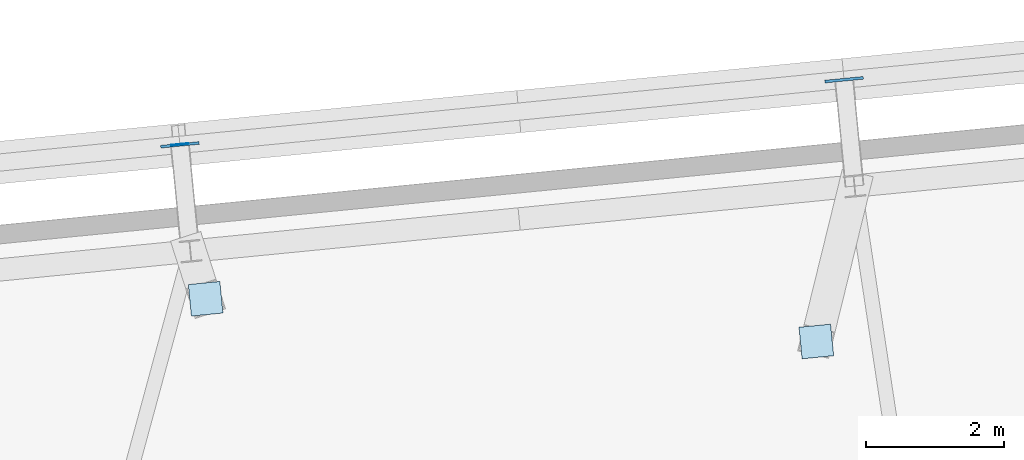
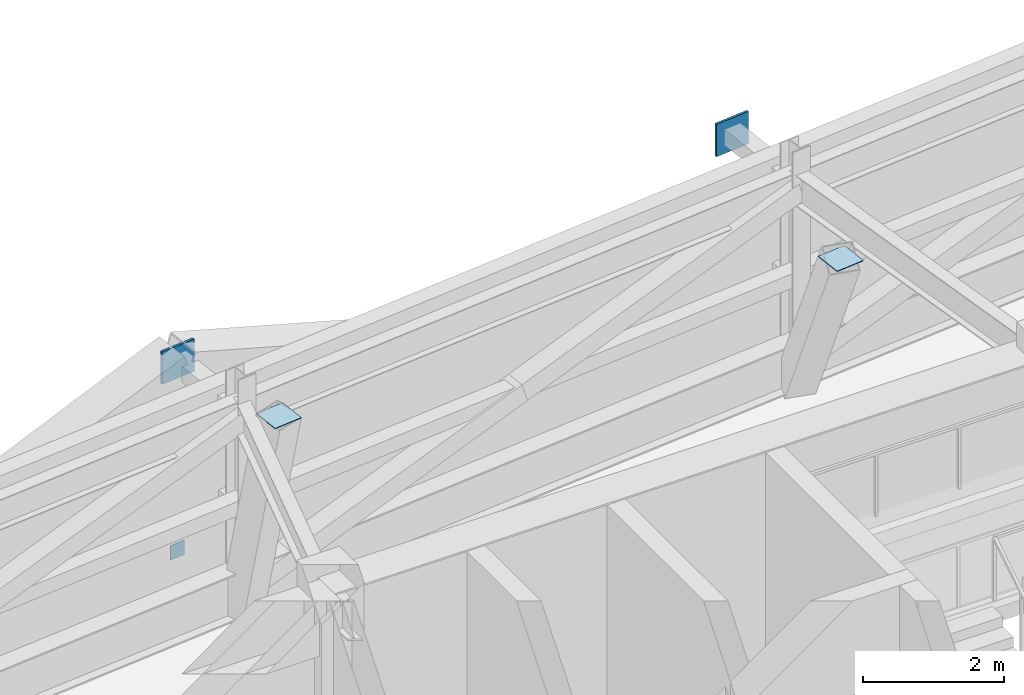
# One storey, part 19 of 24: 5 plates.
"""IFC4 building model written with IfcOpenShell, lengths in metres."""

from ifc_helpers import new_model, si_unit, direction, frame, origin, origin_2d, place, context, subcontext, project, spatial, rectangle, extrude, source, transform, mapped, material, layer, layer_set, type_object, element, save


model = new_model("IFC4")

# Units and contexts
model_context = context("Model", 3, precision=1e-05, world=origin(), true_north=direction((0.0, 1.0)))
body_context = subcontext(model_context, "Body", "Model", "MODEL_VIEW")
ifc_project = project(units=[si_unit("LENGTHUNIT", "METRE"), si_unit("AREAUNIT", "SQUARE_METRE"), si_unit("VOLUMEUNIT", "CUBIC_METRE"), si_unit("PLANEANGLEUNIT", "RADIAN"), si_unit("MASSUNIT", "GRAM", prefix="KILO")], contexts=[model_context])

# Site, building, storey
site_placement = place(None, origin())
site = spatial("IfcSite", under=ifc_project, at=site_placement, CompositionType="ELEMENT")
building_placement = place(site_placement, origin())
building = spatial("IfcBuilding", under=site, at=building_placement, Name="Taldren Reach Tower", CompositionType="ELEMENT")
storey_placement = place(building_placement, frame((0.0, 0.0, 112.35009765625)))
storey = spatial("IfcBuildingStorey", under=building, at=storey_placement, Name="L34", CompositionType="ELEMENT", Elevation=112.35009765625)

# Plates
ifc_material_1 = material(Name="Steel Gr 450 (C450L0)", Category="steel")
ifc_layer_1 = layer(ifc_material_1, 0.0400390625)
ifc_layer_set_1 = layer_set([ifc_layer_1], Name="Steel Gr 450 (C450L0)")
plate_type_1 = type_object("IfcPlateType", Name="PL-GUSSET-40", PredefinedType="SHEET", material=ifc_layer_set_1)
shared_shape_1 = source(origin(), body_context, "Body", "SweptSolid", [
    extrude(rectangle(XDim=0.56005859375, YDim=0.0400390625, at=origin_2d()), origin(), (0.0, 0.0, 1.0), 0.56005859375),
])
for number, where, z_axis, x_axis, name in (
    (1, (40.346923828125, 38.333251953125, 3.219970703125), (0.0, 0.0, 1.0), (0.995227399982, 0.097582899759, 0.0), "Exoskeleton star-node gusset plate B2-N4 L34"),
    (2, (49.980712890625, 39.27783203125, 3.219970703125), (0.0, 0.0, 1.0), (0.995227399982, 0.097582899759, 0.0), "Exoskeleton star-node gusset plate B2-N5 L34"),
):
    element("IfcPlate", number, at=place(storey_placement, frame(where, z_axis=z_axis, x_axis=x_axis)), inside=storey, type_object=plate_type_1, Name=name, PredefinedType="SHEET", context=body_context, shape_type="MappedRepresentation", body=[
        mapped(shared_shape_1, transform((0.0, 0.0, 0.0), scale=1.0)),
    ])
ifc_material_2 = material(Name="Steel Gr 350 (C350L0)", Category="steel")
ifc_layer_2 = layer(ifc_material_2, 0.011962890625)
ifc_layer_set_2 = layer_set([ifc_layer_2], Name="Steel Gr 350 (C350L0)")
plate_type_2 = type_object("IfcPlateType", Name="PL-CAP-250", PredefinedType="SHEET", material=ifc_layer_set_2)
shared_shape_2 = source(origin(), body_context, "Body", "SweptSolid", [
    extrude(rectangle(XDim=0.25, YDim=0.011962890625, at=origin_2d()), origin(), (0.0, 0.0, 1.0), 0.25),
])
plate_placement = place(storey_placement, frame((40.346435546875, 38.33935546875, 0.094970703125), z_axis=(0.0, 0.0, 1.0), x_axis=(0.995227399982, 0.097582899759, 0.0)))
element("IfcPlate", 3, at=plate_placement, inside=storey, type_object=plate_type_2, Name="Tie strut end cap plate B2-N4 L34", PredefinedType="SHEET", context=body_context, shape_type="MappedRepresentation", body=[
    mapped(shared_shape_2, transform((0.0, 0.0, 0.0), scale=1.0)),
])
ifc_layer_3 = layer(ifc_material_1, 0.011962890625)
ifc_layer_set_3 = layer_set([ifc_layer_3], Name="Steel Gr 450 (C450L0)")
plate_type_3 = type_object("IfcPlateType", Name="PL-CAP-460", PredefinedType="SHEET", material=ifc_layer_set_3)
shared_shape_3 = source(origin(), body_context, "Body", "SweptSolid", [
    extrude(rectangle(XDim=0.4599609375, YDim=0.4599609375, at=origin_2d()), origin(), (0.0, 0.0, 1.0), 0.011962890625),
])
for number, where, z_axis, x_axis, name in (
    (4, (40.7197265625, 36.100341796875, 3.76806640625), (0.0, 0.0, 1.0), (0.995227399982, 0.097582899759, 0.0), "Transfer strut end cap plate TS-B3-N4 L34"),
    (5, (49.578125, 35.48095703125, 3.76806640625), (0.0, 0.0, 1.0), (0.995227399982, 0.097582899759, 0.0), "Transfer strut end cap plate TS-B3-N5 L34"),
):
    element("IfcPlate", number, at=place(storey_placement, frame(where, z_axis=z_axis, x_axis=x_axis)), inside=storey, type_object=plate_type_3, Name=name, PredefinedType="SHEET", context=body_context, shape_type="MappedRepresentation", body=[
        mapped(shared_shape_3, transform((0.0, 0.0, 0.0), scale=1.0)),
    ])

save(model, "model.ifc")
